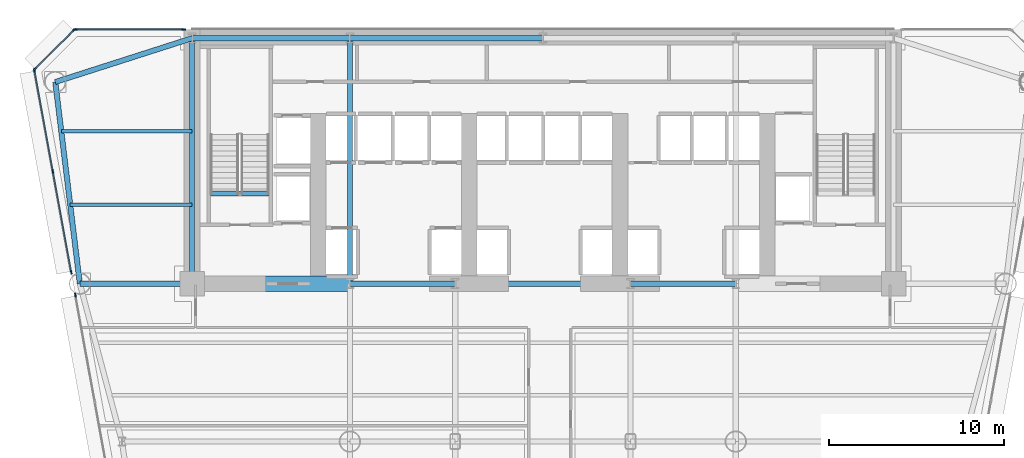
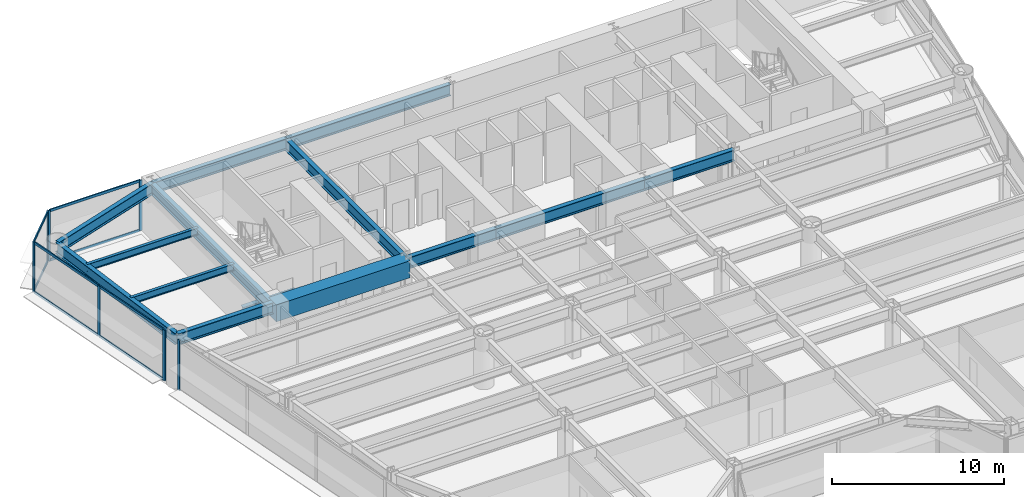
# One storey, part 5 of 14: 16 members, 14 beams, 4 elements without a shape of their own.
"""IFC4 building model written with IfcOpenShell, lengths in metres."""

from ifc_helpers import new_model, si_unit, direction, frame, origin, origin_2d, place, context, subcontext, project, spatial, rectangle, i_section, extrude, source, transform, mapped, material, layer, layer_set, material_profile, profile_set, type_object, element, aggregate, save


model = new_model("IFC4")

# Units and contexts
model_context = context("Model", 3, precision=1e-05, world=origin(), true_north=direction((0.0, 1.0)))
body_context = subcontext(model_context, "Body", "Model", "MODEL_VIEW")
ifc_project = project(units=[si_unit("LENGTHUNIT", "METRE"), si_unit("AREAUNIT", "SQUARE_METRE"), si_unit("VOLUMEUNIT", "CUBIC_METRE"), si_unit("PLANEANGLEUNIT", "RADIAN"), si_unit("MASSUNIT", "GRAM", prefix="KILO")], contexts=[model_context])

# Site, building, storey
site_placement = place(None, origin())
site = spatial("IfcSite", under=ifc_project, at=site_placement, CompositionType="ELEMENT")
building_placement = place(site_placement, origin())
building = spatial("IfcBuilding", under=site, at=building_placement, Name="Vaeldorn Concourse Tower", CompositionType="ELEMENT")
storey_placement = place(building_placement, frame((0.0, 0.0, 68.199951171875)))
storey = spatial("IfcBuildingStorey", under=building, at=storey_placement, Name="L17", CompositionType="ELEMENT", Elevation=68.199951171875)

# Beams
ifc_material_1 = material(Name="Concrete C60/75", Category="concrete")
ifc_material_profile_1 = material_profile(ifc_material_1, rectangle(XDim=0.89990234375, YDim=1.199951171875, at=origin_2d()), Name="RC 900x1200")
ifc_profile_set_1 = profile_set([ifc_material_profile_1], Name="Concrete C60/75")
beam_type_1 = type_object("IfcBeamType", Name="BM-CB-RC900", PredefinedType="BEAM", material=ifc_profile_set_1)
shared_shape_1 = source(origin(), body_context, "Body", "SweptSolid", [
    extrude(rectangle(XDim=0.89990234375, YDim=1.199951171875, at=origin_2d()), origin(), (0.0, 0.0, 1.0), 9.0),
])
beam_1_placement = place(storey_placement, frame((14.0, 36.5, 2.97998046875), z_axis=(1.0, 0.0, 0.0), x_axis=(0.0, 1.0, 0.0)))
element("IfcBeam", 1, at=beam_1_placement, inside=storey, type_object=beam_type_1, Name="Core Coupling Beam L17-1", PredefinedType="BEAM", context=body_context, shape_type="MappedRepresentation", body=[
    mapped(shared_shape_1, transform((0.0, 0.0, 0.0), scale=1.0)),
])
ifc_material_2 = material(Name="Steel S355", Category="steel")
ifc_material_profile_2 = material_profile(ifc_material_2, i_section(OverallWidth=0.300048828125, OverallDepth=0.340087890625, WebThickness=0.011962890625, FlangeThickness=0.021484375, FilletRadius=0.027099609375, at=origin_2d()), Name="HEB 340")
ifc_profile_set_2 = profile_set([ifc_material_profile_2], Name="Steel S355")
beam_type_2 = type_object("IfcBeamType", Name="BM-ST-TRIM", PredefinedType="BEAM", material=ifc_profile_set_2)
shared_shape_2 = source(origin(), body_context, "Body", "SweptSolid", [
    extrude(i_section(OverallWidth=0.300048828125, OverallDepth=0.340087890625, WebThickness=0.011962890625, FlangeThickness=0.021484375, FilletRadius=0.027099609375, at=origin_2d()), origin(), (0.0, 0.0, 1.0), 3.590087890625),
])
beam_2_placement = place(storey_placement, frame((14.929931640625, 41.639892578125, -0.389892578125), z_axis=(1.0, 0.0, 0.0), x_axis=(0.0, 1.0, 0.0)))
element("IfcBeam", 2, at=beam_2_placement, inside=storey, type_object=beam_type_2, Name="Stair Landing Trimmer Beam ST-1 L17", PredefinedType="BEAM", context=body_context, shape_type="MappedRepresentation", body=[
    mapped(shared_shape_2, transform((0.0, 0.0, 0.0), scale=1.0)),
])
ifc_material_profile_3 = material_profile(ifc_material_2, i_section(OverallWidth=0.300048828125, OverallDepth=0.800048828125, WebThickness=0.017578125, FlangeThickness=0.032958984375, FilletRadius=0.030029296875, at=origin_2d()), Name="HEB 800")
ifc_profile_set_3 = profile_set([ifc_material_profile_3], Name="Steel S355")
beam_type_3 = type_object("IfcBeamType", Name="BM-PG-HEB800", PredefinedType="BEAM", material=ifc_profile_set_3)
shared_shape_3 = source(origin(), body_context, "Body", "SweptSolid", [
    extrude(i_section(OverallWidth=0.300048828125, OverallDepth=0.800048828125, WebThickness=0.017578125, FlangeThickness=0.032958984375, FilletRadius=0.030029296875, at=origin_2d()), origin(), (0.0, 0.0, 1.0), 6.0),
])
for number, where, z_axis, x_axis, name in (
    (3, (23.0, 36.5, 3.179931640625), (1.0, 0.0, 0.0), (0.0, 1.0, 0.0), "Beam BM-L17-C-FC2-C-FC3"),
    (4, (39.0, 36.5, 3.179931640625), (1.0, 0.0, 0.0), (0.0, 1.0, 0.0), "Beam BM-L17-C-FC4-C-FC5"),
):
    element("IfcBeam", number, at=place(storey_placement, frame(where, z_axis=z_axis, x_axis=x_axis)), inside=storey, type_object=beam_type_3, Name=name, PredefinedType="BEAM", context=body_context, shape_type="MappedRepresentation", body=[
        mapped(shared_shape_3, transform((0.0, 0.0, 0.0), scale=1.0)),
    ])
shared_shape_4 = source(origin(), body_context, "Body", "SweptSolid", [
    extrude(i_section(OverallWidth=0.300048828125, OverallDepth=0.800048828125, WebThickness=0.017578125, FlangeThickness=0.032958984375, FilletRadius=0.030029296875, at=origin_2d()), origin(), (0.0, 0.0, 1.0), 10.0),
])
beam_3_placement = place(storey_placement, frame((29.0, 36.5, 3.179931640625), z_axis=(1.0, 0.0, 0.0), x_axis=(0.0, 1.0, 0.0)))
element("IfcBeam", 5, at=beam_3_placement, inside=storey, type_object=beam_type_3, Name="Beam BM-L17-C-FC3-C-FC4", PredefinedType="BEAM", context=body_context, shape_type="MappedRepresentation", body=[
    mapped(shared_shape_4, transform((0.0, 0.0, 0.0), scale=1.0)),
])
shared_shape_5 = source(origin(), body_context, "Body", "SweptSolid", [
    extrude(i_section(OverallWidth=0.300048828125, OverallDepth=0.800048828125, WebThickness=0.017578125, FlangeThickness=0.032958984375, FilletRadius=0.030029296875, at=origin_2d()), origin(), (0.0, 0.0, 1.0), 9.0),
])
beam_4_placement = place(storey_placement, frame((14.0, 50.5, 3.179931640625), z_axis=(1.0, 0.0, 0.0), x_axis=(0.0, 1.0, 0.0)))
element("IfcBeam", 6, at=beam_4_placement, inside=storey, type_object=beam_type_3, Name="Beam BM-L17-C-HC1-C-HC2", PredefinedType="BEAM", context=body_context, shape_type="MappedRepresentation", body=[
    mapped(shared_shape_5, transform((0.0, 0.0, 0.0), scale=1.0)),
])
shared_shape_6 = source(origin(), body_context, "Body", "SweptSolid", [
    extrude(i_section(OverallWidth=0.300048828125, OverallDepth=0.800048828125, WebThickness=0.017578125, FlangeThickness=0.032958984375, FilletRadius=0.030029296875, at=origin_2d()), origin(), (0.0, 0.0, 1.0), 11.0),
])
beam_5_placement = place(storey_placement, frame((23.0, 50.5, 3.179931640625), z_axis=(1.0, 0.0, 0.0), x_axis=(0.0, 1.0, 0.0)))
element("IfcBeam", 7, at=beam_5_placement, inside=storey, type_object=beam_type_3, Name="Beam BM-L17-C-HC2-C-HC3", PredefinedType="BEAM", context=body_context, shape_type="MappedRepresentation", body=[
    mapped(shared_shape_6, transform((0.0, 0.0, 0.0), scale=1.0)),
])
shared_shape_7 = source(origin(), body_context, "Body", "SweptSolid", [
    extrude(i_section(OverallWidth=0.300048828125, OverallDepth=0.800048828125, WebThickness=0.017578125, FlangeThickness=0.032958984375, FilletRadius=0.030029296875, at=origin_2d()), origin(), (0.0, 0.0, 1.0), 14.0),
])
for number, where, z_axis, x_axis, name in (
    (8, (14.0, 36.5, 3.179931640625), (0.0, 1.0, 0.0), (-1.0, 0.0, 0.0), "Beam BM-L17-C-FC1-C-HC1"),
    (9, (23.0, 36.5, 3.179931640625), (0.0, 1.0, 0.0), (-1.0, 0.0, 0.0), "Beam BM-L17-C-FC2-C-HC2"),
):
    element("IfcBeam", number, at=place(storey_placement, frame(where, z_axis=z_axis, x_axis=x_axis)), inside=storey, type_object=beam_type_3, Name=name, PredefinedType="BEAM", context=body_context, shape_type="MappedRepresentation", body=[
        mapped(shared_shape_7, transform((0.0, 0.0, 0.0), scale=1.0)),
    ])
shared_shape_8 = source(origin(), body_context, "Body", "SweptSolid", [
    extrude(i_section(OverallWidth=0.300048828125, OverallDepth=0.800048828125, WebThickness=0.017578125, FlangeThickness=0.032958984375, FilletRadius=0.030029296875, at=origin_2d()), origin(), (0.0, 0.0, 1.0), 8.19091796875),
])
beam_6_placement = place(storey_placement, frame((6.199951171875, 48.0, 3.179931640625), z_axis=(0.952282843383, 0.305216949396, 0.0), x_axis=(-0.305216949396, 0.952282843383, 0.0)))
element("IfcBeam", 10, at=beam_6_placement, inside=storey, type_object=beam_type_3, Name="Beam BM-L17-C-NW1-C-HC1", PredefinedType="BEAM", context=body_context, shape_type="MappedRepresentation", body=[
    mapped(shared_shape_8, transform((0.0, 0.0, 0.0), scale=1.0)),
])
shared_shape_9 = source(origin(), body_context, "Body", "SweptSolid", [
    extrude(i_section(OverallWidth=0.300048828125, OverallDepth=0.800048828125, WebThickness=0.017578125, FlangeThickness=0.032958984375, FilletRadius=0.030029296875, at=origin_2d()), origin(), (0.0, 0.0, 1.0), 11.5849609375),
])
beam_7_placement = place(storey_placement, frame((6.199951171875, 48.0, 3.179931640625), z_axis=(0.120859382899, -0.992669637677, 0.0), x_axis=(0.992669637677, 0.120859382899, 0.0)))
element("IfcBeam", 11, at=beam_7_placement, inside=storey, type_object=beam_type_3, Name="Beam BM-L17-C-NW1-C-NW2", PredefinedType="BEAM", context=body_context, shape_type="MappedRepresentation", body=[
    mapped(shared_shape_9, transform((0.0, 0.0, 0.0), scale=1.0)),
])
shared_shape_10 = source(origin(), body_context, "Body", "SweptSolid", [
    extrude(i_section(OverallWidth=0.300048828125, OverallDepth=0.800048828125, WebThickness=0.017578125, FlangeThickness=0.032958984375, FilletRadius=0.030029296875, at=origin_2d()), origin(), (0.0, 0.0, 1.0), 6.39990234375),
])
beam_8_placement = place(storey_placement, frame((7.60009765625, 36.5, 3.179931640625), z_axis=(1.0, 0.0, 0.0), x_axis=(0.0, 1.0, 0.0)))
element("IfcBeam", 12, at=beam_8_placement, inside=storey, type_object=beam_type_3, Name="Beam BM-L17-C-NW2-C-FC1", PredefinedType="BEAM", context=body_context, shape_type="MappedRepresentation", body=[
    mapped(shared_shape_10, transform((0.0, 0.0, 0.0), scale=1.0)),
])
ifc_material_profile_4 = material_profile(ifc_material_2, i_section(OverallWidth=0.199951171875, OverallDepth=0.5, WebThickness=0.01025390625, FlangeThickness=0.01611328125, FilletRadius=0.02099609375, at=origin_2d()), Name="IPE 500")
ifc_profile_set_4 = profile_set([ifc_material_profile_4], Name="Steel S355")
beam_type_4 = type_object("IfcBeamType", Name="BM-JS-IPE500", PredefinedType="JOIST", material=ifc_profile_set_4)
shared_shape_11 = source(origin(), body_context, "Body", "SweptSolid", [
    extrude(i_section(OverallWidth=0.199951171875, OverallDepth=0.5, WebThickness=0.01025390625, FlangeThickness=0.01611328125, FilletRadius=0.02099609375, at=origin_2d()), origin(), (0.0, 0.0, 1.0), 6.94775390625),
])
beam_9_placement = place(storey_placement, frame((7.05224609375, 41.0, 3.330078125), z_axis=(1.0, 0.0, 0.0), x_axis=(0.0, 1.0, 0.0)))
element("IfcBeam", 13, at=beam_9_placement, inside=storey, type_object=beam_type_4, Name="Beam JS-L17-NW-410", PredefinedType="JOIST", context=body_context, shape_type="MappedRepresentation", body=[
    mapped(shared_shape_11, transform((0.0, 0.0, 0.0), scale=1.0)),
])
shared_shape_12 = source(origin(), body_context, "Body", "SweptSolid", [
    extrude(i_section(OverallWidth=0.199951171875, OverallDepth=0.5, WebThickness=0.01025390625, FlangeThickness=0.01611328125, FilletRadius=0.02099609375, at=origin_2d()), origin(), (0.0, 0.0, 1.0), 7.458984375),
])
beam_10_placement = place(storey_placement, frame((6.541015625, 45.199951171875, 3.330078125), z_axis=(1.0, 0.0, 0.0), x_axis=(0.0, 1.0, 0.0)))
element("IfcBeam", 14, at=beam_10_placement, inside=storey, type_object=beam_type_4, Name="Beam JS-L17-NW-452", PredefinedType="JOIST", context=body_context, shape_type="MappedRepresentation", body=[
    mapped(shared_shape_12, transform((0.0, 0.0, 0.0), scale=1.0)),
])

# Curtain wall, members
ifc_material_3 = material(Name="Anodised Bronze Aluminium", Category="aluminium")
ifc_layer = layer(ifc_material_3, 0.219970703125)
ifc_layer_set = layer_set([ifc_layer], Name="Anodised Bronze Aluminium")
curtain_wall_type = type_object("IfcCurtainWallType", Name="CW-SYS-01", PredefinedType="NOTDEFINED", material=ifc_layer_set)
curtain_wall_1_placement = place(storey_placement, origin())
curtain_wall_1 = element("IfcCurtainWall", 15, at=curtain_wall_1_placement, inside=storey, type_object=curtain_wall_type, Name="Unitised Curtain Wall CW-L17-E10-1", PredefinedType="NOTDEFINED")
ifc_material_profile_5 = material_profile(ifc_material_3, rectangle(XDim=0.074951171875, YDim=0.179931640625, at=origin_2d()), Name="CWT 75x180")
ifc_profile_set_5 = profile_set([ifc_material_profile_5], Name="Anodised Bronze Aluminium")
member_type_1 = type_object("IfcMemberType", Name="CWT-BRONZE-180", PredefinedType="USERDEFINED", material=ifc_profile_set_5)
shared_shape_13 = source(origin(), body_context, "Body", "SweptSolid", [
    extrude(rectangle(XDim=0.074951171875, YDim=0.179931640625, at=origin_2d()), origin(), (0.0, 0.0, 1.0), 3.10302734375),
])
member_1_placement = place(storey_placement, frame((7.2470703125, 50.947021484375, 0.03759765625), z_axis=(-0.707106781187, -0.707106781187, 0.0), x_axis=(0.707106781187, -0.707106781187, 0.0)))
member_1 = element("IfcMember", 16, at=member_1_placement, type_object=member_type_1, Name="CW-01 transom 1.1", ObjectType="TRANSOM", PredefinedType="USERDEFINED", context=body_context, shape_type="MappedRepresentation", body=[
    mapped(shared_shape_13, transform((0.0, 0.0, 0.0), scale=1.0)),
])
member_2_placement = place(storey_placement, frame((7.2470703125, 50.947021484375, 3.54248046875), z_axis=(-0.707106781187, -0.707106781187, 0.0), x_axis=(0.707106781187, -0.707106781187, 0.0)))
member_2 = element("IfcMember", 17, at=member_2_placement, type_object=member_type_1, Name="CW-01 transom 1.2", ObjectType="TRANSOM", PredefinedType="USERDEFINED", context=body_context, shape_type="MappedRepresentation", body=[
    mapped(shared_shape_13, transform((0.0, 0.0, 0.0), scale=1.0)),
])

curtain_wall_2_placement = place(storey_placement, origin())
curtain_wall_2 = element("IfcCurtainWall", 18, at=curtain_wall_2_placement, inside=storey, type_object=curtain_wall_type, Name="Unitised Curtain Wall CW-L17-E09-2", PredefinedType="NOTDEFINED")
shared_shape_14 = source(origin(), body_context, "Body", "SweptSolid", [
    extrude(rectangle(XDim=0.074951171875, YDim=0.179931640625, at=origin_2d()), origin(), (0.0, 0.0, 1.0), 6.10498046875),
])
member_3_placement = place(storey_placement, frame((13.47998046875, 51.0, 0.03759765625), z_axis=(-1.0, 0.0, 0.0), x_axis=(0.0, -1.0, 0.0)))
member_3 = element("IfcMember", 19, at=member_3_placement, type_object=member_type_1, Name="CW-01 transom 1.1", ObjectType="TRANSOM", PredefinedType="USERDEFINED", context=body_context, shape_type="MappedRepresentation", body=[
    mapped(shared_shape_14, transform((0.0, 0.0, 0.0), scale=1.0)),
])
member_4_placement = place(storey_placement, frame((13.47998046875, 51.0, 3.54248046875), z_axis=(-1.0, 0.0, 0.0), x_axis=(0.0, -1.0, 0.0)))
member_4 = element("IfcMember", 20, at=member_4_placement, type_object=member_type_1, Name="CW-01 transom 1.2", ObjectType="TRANSOM", PredefinedType="USERDEFINED", context=body_context, shape_type="MappedRepresentation", body=[
    mapped(shared_shape_14, transform((0.0, 0.0, 0.0), scale=1.0)),
])
ifc_material_profile_6 = material_profile(ifc_material_3, rectangle(XDim=0.074951171875, YDim=0.219970703125, at=origin_2d()), Name="CWM 75x220")
ifc_profile_set_6 = profile_set([ifc_material_profile_6], Name="Anodised Bronze Aluminium")
member_type_2 = type_object("IfcMemberType", Name="CWM-BRONZE-220", PredefinedType="MULLION", material=ifc_profile_set_6)
shared_shape_15 = source(origin(), body_context, "Body", "SweptSolid", [
    extrude(rectangle(XDim=0.074951171875, YDim=0.219970703125, at=origin_2d()), origin(), (0.0, 0.0, 1.0), 3.580078125),
])
member_5_placement = place(storey_placement, frame((13.517578125, 51.0, 0.0), z_axis=(0.0, 0.0, 1.0), x_axis=(0.0, -1.0, 0.0)))
member_5 = element("IfcMember", 21, at=member_5_placement, type_object=member_type_2, Name="CW-01 mullion 1", PredefinedType="MULLION", context=body_context, shape_type="MappedRepresentation", body=[
    mapped(shared_shape_15, transform((0.0, 0.0, 0.0), scale=1.0)),
])
member_6_placement = place(storey_placement, frame((7.33740234375, 51.0, 0.0), z_axis=(0.0, 0.0, 1.0), x_axis=(0.0, -1.0, 0.0)))
member_6 = element("IfcMember", 22, at=member_6_placement, type_object=member_type_2, Name="CW-01 mullion 2", PredefinedType="MULLION", context=body_context, shape_type="MappedRepresentation", body=[
    mapped(shared_shape_15, transform((0.0, 0.0, 0.0), scale=1.0)),
])
aggregate(curtain_wall_2, [member_5, member_6, member_3, member_4])

# Member
member_7_placement = place(storey_placement, frame((7.2734375, 50.973388671875, 0.0), z_axis=(0.0, 0.0, 1.0), x_axis=(0.707106781187, -0.707106781187, 0.0)))
member_7 = element("IfcMember", 23, at=member_7_placement, type_object=member_type_2, Name="CW-01 mullion 1", PredefinedType="MULLION", context=body_context, shape_type="MappedRepresentation", body=[
    mapped(shared_shape_15, transform((0.0, 0.0, 0.0), scale=1.0)),
])

member_8_placement = place(storey_placement, frame((5.026611328125, 48.7265625, 0.0), z_axis=(0.0, 0.0, 1.0), x_axis=(0.707106781187, -0.707106781187, 0.0)))
member_8 = element("IfcMember", 24, at=member_8_placement, type_object=member_type_2, Name="CW-01 mullion 2", PredefinedType="MULLION", context=body_context, shape_type="MappedRepresentation", body=[
    mapped(shared_shape_15, transform((0.0, 0.0, 0.0), scale=1.0)),
])

aggregate(curtain_wall_1, [member_7, member_8, member_1, member_2])

# Curtain wall, members
curtain_wall_3_placement = place(storey_placement, origin())
curtain_wall_3 = element("IfcCurtainWall", 25, at=curtain_wall_3_placement, inside=storey, type_object=curtain_wall_type, Name="Unitised Curtain Wall CW-L17-E11-1", PredefinedType="NOTDEFINED")
member_9_placement = place(storey_placement, frame((5.0068359375, 48.6630859375, 0.0), z_axis=(0.0, 0.0, 1.0), x_axis=(0.983746262756, 0.179564168232, 0.0)))
member_9 = element("IfcMember", 26, at=member_9_placement, type_object=member_type_2, Name="CW-01 mullion 1", PredefinedType="MULLION", context=body_context, shape_type="MappedRepresentation", body=[
    mapped(shared_shape_15, transform((0.0, 0.0, 0.0), scale=1.0)),
])
member_10_placement = place(storey_placement, frame((6.056884765625, 42.90966796875, 0.0), z_axis=(0.0, 0.0, 1.0), x_axis=(0.983746262756, 0.179564168232, 0.0)))
member_10 = element("IfcMember", 27, at=member_10_placement, type_object=member_type_2, Name="CW-01 mullion 2", PredefinedType="MULLION", context=body_context, shape_type="MappedRepresentation", body=[
    mapped(shared_shape_15, transform((0.0, 0.0, 0.0), scale=1.0)),
])
member_11_placement = place(storey_placement, frame((7.107177734375, 37.156494140625, 0.0), z_axis=(0.0, 0.0, 1.0), x_axis=(0.983746262756, 0.179564168232, 0.0)))
member_11 = element("IfcMember", 28, at=member_11_placement, type_object=member_type_2, Name="CW-01 mullion 3", PredefinedType="MULLION", context=body_context, shape_type="MappedRepresentation", body=[
    mapped(shared_shape_15, transform((0.0, 0.0, 0.0), scale=1.0)),
])

# Curtain wall, member
curtain_wall_4_placement = place(storey_placement, origin())
curtain_wall_4 = element("IfcCurtainWall", 29, at=curtain_wall_4_placement, inside=storey, type_object=curtain_wall_type, Name="Unitised Curtain Wall CW-L17-E11-2", PredefinedType="NOTDEFINED")
member_12_placement = place(storey_placement, frame((7.3466796875, 35.843505859375, 0.0), z_axis=(0.0, 0.0, 1.0), x_axis=(0.983746121623, 0.179564941431, 0.0)))
member_12 = element("IfcMember", 30, at=member_12_placement, type_object=member_type_2, Name="CW-01 mullion 1", PredefinedType="MULLION", context=body_context, shape_type="MappedRepresentation", body=[
    mapped(shared_shape_15, transform((0.0, 0.0, 0.0), scale=1.0)),
])
aggregate(curtain_wall_4, [member_12])

# Member
shared_shape_16 = source(origin(), body_context, "Body", "SweptSolid", [
    extrude(rectangle(XDim=0.074951171875, YDim=0.179931640625, at=origin_2d()), origin(), (0.0, 0.0, 1.0), 5.773193359375),
])
member_13_placement = place(storey_placement, frame((6.063720703125, 42.872802734375, 0.03759765625), z_axis=(0.179555240124, -0.983747892371, 0.0), x_axis=(0.983747892371, 0.179555240124, 0.0)))
member_13 = element("IfcMember", 31, at=member_13_placement, type_object=member_type_1, Name="CW-01 transom 2.1", ObjectType="TRANSOM", PredefinedType="USERDEFINED", context=body_context, shape_type="MappedRepresentation", body=[
    mapped(shared_shape_16, transform((0.0, 0.0, 0.0), scale=1.0)),
])

member_14_placement = place(storey_placement, frame((6.063720703125, 42.872802734375, 3.54248046875), z_axis=(0.179555240124, -0.983747892371, 0.0), x_axis=(0.983747892371, 0.179555240124, 0.0)))
member_14 = element("IfcMember", 32, at=member_14_placement, type_object=member_type_1, Name="CW-01 transom 2.2", ObjectType="TRANSOM", PredefinedType="USERDEFINED", context=body_context, shape_type="MappedRepresentation", body=[
    mapped(shared_shape_16, transform((0.0, 0.0, 0.0), scale=1.0)),
])

shared_shape_17 = source(origin(), body_context, "Body", "SweptSolid", [
    extrude(rectangle(XDim=0.074951171875, YDim=0.179931640625, at=origin_2d()), origin(), (0.0, 0.0, 1.0), 5.7734375),
])
member_15_placement = place(storey_placement, frame((5.013427734375, 48.626220703125, 0.03759765625), z_axis=(0.179547770784, -0.983749255657, 0.0), x_axis=(0.983749255657, 0.179547770784, 0.0)))
member_15 = element("IfcMember", 33, at=member_15_placement, type_object=member_type_1, Name="CW-01 transom 1.1", ObjectType="TRANSOM", PredefinedType="USERDEFINED", context=body_context, shape_type="MappedRepresentation", body=[
    mapped(shared_shape_17, transform((0.0, 0.0, 0.0), scale=1.0)),
])

member_16_placement = place(storey_placement, frame((5.013427734375, 48.626220703125, 3.54248046875), z_axis=(0.179547770784, -0.983749255657, 0.0), x_axis=(0.983749255657, 0.179547770784, 0.0)))
member_16 = element("IfcMember", 34, at=member_16_placement, type_object=member_type_1, Name="CW-01 transom 1.2", ObjectType="TRANSOM", PredefinedType="USERDEFINED", context=body_context, shape_type="MappedRepresentation", body=[
    mapped(shared_shape_17, transform((0.0, 0.0, 0.0), scale=1.0)),
])

aggregate(curtain_wall_3, [member_9, member_10, member_11, member_15, member_16, member_13, member_14])

save(model, "model.ifc")
